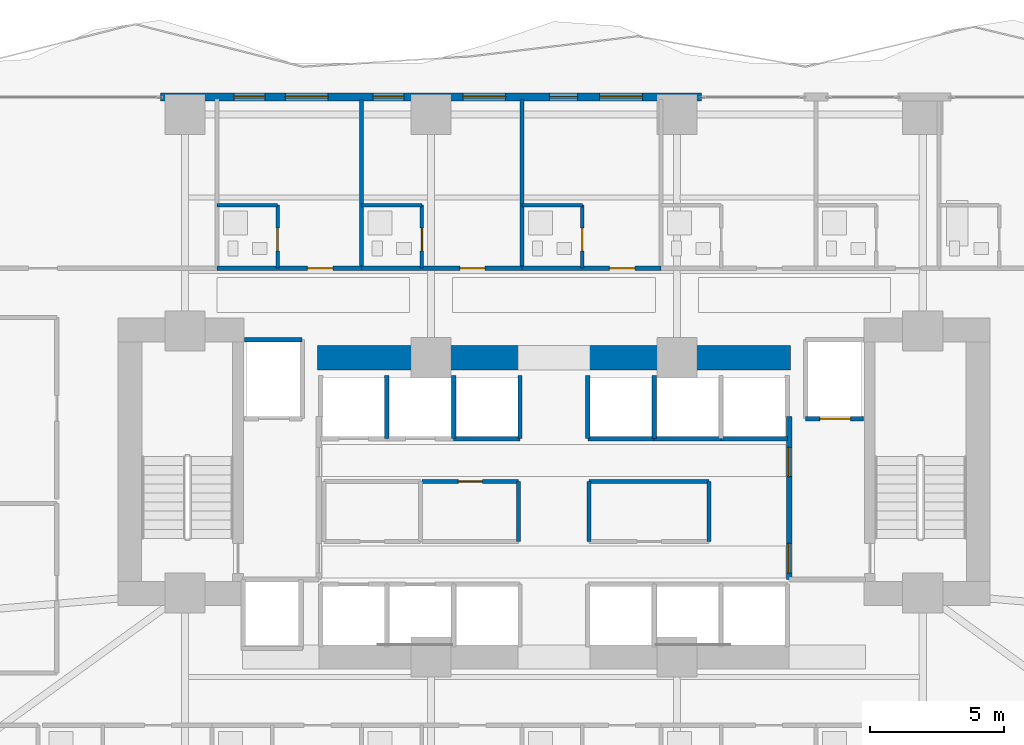
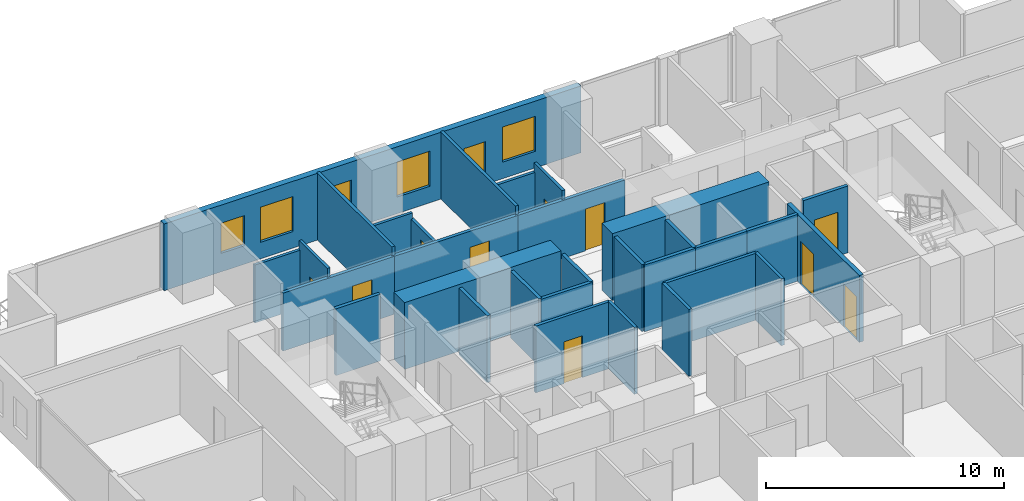
# One storey, part 21 of 28: 31 walls, 11 doors, 5 windows, 16 openings.
"""IFC4 building model written with IfcOpenShell, lengths in metres."""

from ifc_helpers import new_model, si_unit, direction, frame, frame_2d, origin, place, context, subcontext, project, spatial, rectangle, extrude, material, layer, layer_set, type_object, element, fill, save


model = new_model("IFC4")

# Units and contexts
model_context = context("Model", 3, precision=1e-05, world=origin(), true_north=direction((0.0, 1.0)))
body_context = subcontext(model_context, "Body", "Model", "MODEL_VIEW")
ifc_project = project(units=[si_unit("LENGTHUNIT", "METRE"), si_unit("AREAUNIT", "SQUARE_METRE"), si_unit("VOLUMEUNIT", "CUBIC_METRE"), si_unit("PLANEANGLEUNIT", "RADIAN"), si_unit("MASSUNIT", "GRAM", prefix="KILO")], contexts=[model_context])

# Site, building, storey
site_placement = place(None, origin())
site = spatial("IfcSite", under=ifc_project, at=site_placement, CompositionType="ELEMENT")
building_placement = place(site_placement, origin())
building = spatial("IfcBuilding", under=site, at=building_placement, Name="Zuhayl Quay Hotel", CompositionType="ELEMENT")
storey_placement = place(building_placement, frame((0.0, 0.0, 34.89990234375)))
storey = spatial("IfcBuildingStorey", under=building, at=storey_placement, Name="L07", CompositionType="ELEMENT", Elevation=34.89990234375)

# Walls
ifc_material_1 = material(Name="Concrete C70/85", Category="concrete")
ifc_layer_1 = layer(ifc_material_1, 0.89990234375, Name="Concrete C70/85", Category="concrete")
ifc_layer_set_1 = layer_set([ifc_layer_1], Name="Concrete C70/85")
wall_type_1 = type_object("IfcWallType", Name="WL_CORE_900", PredefinedType="SHEAR", material=ifc_layer_set_1)
for number, where, z_axis, x_axis, name in (
    (1, (-8.85009765625, 13.35009765625, 0.0), (0.0, 0.0, 1.0), (1.0, 0.0, 0.0), "L07 Core Shear Wall CW_NC_W"),
    (2, (1.25, 13.35009765625, 0.0), (0.0, 0.0, 1.0), (1.0, 0.0, 0.0), "L07 Core Shear Wall CW_NC_E"),
):
    element("IfcWall", number, at=place(storey_placement, frame(where, z_axis=z_axis, x_axis=x_axis)), inside=storey, type_object=wall_type_1, Name=name, PredefinedType="SHEAR", context=body_context, shape_type="SweptSolid", body=[
        extrude(rectangle(XDim=7.60009765625, YDim=0.89990234375, at=frame_2d((3.800048828125, 0.0))), origin(), (0.0, 0.0, 1.0), 3.43017578125),
    ])

# Wall, openings, door, windows
ifc_material_2 = material(Name="Precast concrete C45/55", Category="concrete")
ifc_layer_2 = layer(ifc_material_2, 0.300048828125, Name="Precast concrete C45/55", Category="concrete")
ifc_layer_set_2 = layer_set([ifc_layer_2], Name="Precast concrete C45/55")
wall_type_2 = type_object("IfcWallType", Name="WL_EXT_300", PredefinedType="STANDARD", material=ifc_layer_set_2)
wall_1_placement = place(storey_placement, frame((-14.719970703125, 23.10009765625, 0.0), z_axis=(0.0, 0.0, 1.0), x_axis=(1.0, 0.0, 0.0)))
wall_1 = element("IfcWall", 3, at=wall_1_placement, inside=storey, type_object=wall_type_2, Name="L07 Exterior Precast Wall ENV_L07_N_EW2", PredefinedType="STANDARD", context=body_context, shape_type="SweptSolid", body=[
    extrude(rectangle(XDim=20.239990234375, YDim=0.300048828125, at=frame_2d((10.1201171875, 0.0))), origin(), (0.0, 0.0, 1.0), 3.43017578125),
])
opening_1_placement = place(wall_1_placement, frame((14.554931640625, 0.0, 0.0)))
opening_1 = element("IfcOpeningElement", 4, at=opening_1_placement, cuts=wall_1, Name="Opening DG1", PredefinedType="OPENING", context=body_context, shape_type="SweptSolid", body=[
    extrude(rectangle(XDim=1.050048828125, YDim=2.199951171875, at=frame_2d((0.52490234375, 1.10009765625))), frame((0.0, 0.159912109375, 0.0), z_axis=(0.0, -1.0, 0.0), x_axis=(1.0, 0.0, 0.0)), (0.0, 0.0, 1.0), 0.320068359375),
])
opening_2_placement = place(wall_1_placement, frame((4.66796875, 0.0, 0.85009765625)))
opening_2 = element("IfcOpeningElement", 5, at=opening_2_placement, cuts=wall_1, Name="Opening W01", PredefinedType="OPENING", context=body_context, shape_type="SweptSolid", body=[
    extrude(rectangle(XDim=1.60009765625, YDim=1.800048828125, at=frame_2d((0.800048828125, 0.89990234375))), frame((0.0, 0.159912109375, 0.0), z_axis=(0.0, -1.0, 0.0), x_axis=(1.0, 0.0, 0.0)), (0.0, 0.0, 1.0), 0.320068359375),
])
opening_3_placement = place(wall_1_placement, frame((2.75390625, 0.0, 0.949951171875)))
opening_3 = element("IfcOpeningElement", 6, at=opening_3_placement, cuts=wall_1, Name="Opening W01N", PredefinedType="OPENING", context=body_context, shape_type="SweptSolid", body=[
    extrude(rectangle(XDim=1.14990234375, YDim=1.550048828125, at=frame_2d((0.574951171875, 0.77490234375))), frame((0.0, 0.159912109375, 0.0), z_axis=(0.0, -1.0, 0.0), x_axis=(1.0, 0.0, 0.0)), (0.0, 0.0, 1.0), 0.320068359375),
])
opening_4_placement = place(wall_1_placement, frame((7.955078125, 0.0, 0.949951171875)))
opening_4 = element("IfcOpeningElement", 7, at=opening_4_placement, cuts=wall_1, Name="Opening W01N", PredefinedType="OPENING", context=body_context, shape_type="SweptSolid", body=[
    extrude(rectangle(XDim=1.14990234375, YDim=1.550048828125, at=frame_2d((0.574951171875, 0.77490234375))), frame((0.0, 0.159912109375, 0.0), z_axis=(0.0, -1.0, 0.0), x_axis=(1.0, 0.0, 0.0)), (0.0, 0.0, 1.0), 0.320068359375),
])
opening_5_placement = place(wall_1_placement, frame((11.31005859375, 0.0, 0.85009765625)))
opening_5 = element("IfcOpeningElement", 8, at=opening_5_placement, cuts=wall_1, Name="Opening W01", PredefinedType="OPENING", context=body_context, shape_type="SweptSolid", body=[
    extrude(rectangle(XDim=1.60009765625, YDim=1.800048828125, at=frame_2d((0.800048828125, 0.89990234375))), frame((0.0, 0.159912109375, 0.0), z_axis=(0.0, -1.0, 0.0), x_axis=(1.0, 0.0, 0.0)), (0.0, 0.0, 1.0), 0.320068359375),
])
opening_6_placement = place(wall_1_placement, frame((16.427490234375, 0.0, 0.85009765625)))
opening_6 = element("IfcOpeningElement", 9, at=opening_6_placement, cuts=wall_1, Name="Opening W01", PredefinedType="OPENING", context=body_context, shape_type="SweptSolid", body=[
    extrude(rectangle(XDim=1.60009765625, YDim=1.800048828125, at=frame_2d((0.800048828125, 0.89990234375))), frame((0.0, 0.159912109375, 0.0), z_axis=(0.0, -1.0, 0.0), x_axis=(1.0, 0.0, 0.0)), (0.0, 0.0, 1.0), 0.320068359375),
])
ifc_material_3 = material(Name="Anodised Aluminium and Dark Solar Glass", Category="aluminium")
door_type_1 = type_object("IfcDoorType", Name="DR_EXT_TERR_1050", OperationType="NOTDEFINED", PredefinedType="DOOR", material=ifc_material_3)
door_1_placement = place(opening_1_placement, origin())
door_1 = element("IfcDoor", 10, at=door_1_placement, inside=storey, type_object=door_type_1, Name="L07 North Rippling Balcony Door", OperationType="SINGLE_SWING_LEFT", OverallHeight=2.199951171875, OverallWidth=1.050048828125, PredefinedType="DOOR", context=body_context, shape_type="SweptSolid", body=[
    extrude(rectangle(XDim=1.050048828125, YDim=2.199951171875, at=frame_2d((0.52490234375, 1.10009765625))), frame((0.0, 0.02490234375, 0.0), z_axis=(0.0, -1.0, 0.0), x_axis=(1.0, 0.0, 0.0)), (0.0, 0.0, 1.0), 0.050048828125),
])
fill(opening_1, door_1)
ifc_material_4 = material(Name="Dark Ceramic-Fritted Solar Glass", Category="glass")
window_type_1 = type_object("IfcWindowType", Name="WN_NOTCH_1350", PartitioningType="SINGLE_PANEL", PredefinedType="WINDOW", material=ifc_material_4)
window_1_placement = place(opening_3_placement, origin())
window_1 = element("IfcWindow", 11, at=window_1_placement, inside=storey, type_object=window_type_1, Name="L07 Operable Facade Window 2-1", OverallHeight=1.550048828125, OverallWidth=1.14990234375, PartitioningType="SINGLE_PANEL", PredefinedType="WINDOW", context=body_context, shape_type="SweptSolid", body=[
    extrude(rectangle(XDim=1.14990234375, YDim=1.550048828125, at=frame_2d((0.574951171875, 0.77490234375))), frame((0.0, 0.030029296875, 0.0), z_axis=(0.0, -1.0, 0.0), x_axis=(1.0, 0.0, 0.0)), (0.0, 0.0, 1.0), 0.06005859375),
])
fill(opening_3, window_1)
window_2_placement = place(opening_4_placement, origin())
window_2 = element("IfcWindow", 12, at=window_2_placement, inside=storey, type_object=window_type_1, Name="L07 Operable Facade Window 2-2", OverallHeight=1.550048828125, OverallWidth=1.14990234375, PartitioningType="SINGLE_PANEL", PredefinedType="WINDOW", context=body_context, shape_type="SweptSolid", body=[
    extrude(rectangle(XDim=1.14990234375, YDim=1.550048828125, at=frame_2d((0.574951171875, 0.77490234375))), frame((0.0, 0.030029296875, 0.0), z_axis=(0.0, -1.0, 0.0), x_axis=(1.0, 0.0, 0.0)), (0.0, 0.0, 1.0), 0.06005859375),
])
fill(opening_4, window_2)
window_type_2 = type_object("IfcWindowType", Name="WN_OPERABLE_1600", PartitioningType="DOUBLE_PANEL_VERTICAL", PredefinedType="WINDOW", material=ifc_material_4)
window_3_placement = place(opening_2_placement, origin())
window_3 = element("IfcWindow", 13, at=window_3_placement, inside=storey, type_object=window_type_2, Name="L07 North Operable Casement Window", OverallHeight=1.800048828125, OverallWidth=1.60009765625, PartitioningType="SINGLE_PANEL", PredefinedType="WINDOW", context=body_context, shape_type="SweptSolid", body=[
    extrude(rectangle(XDim=1.60009765625, YDim=1.800048828125, at=frame_2d((0.800048828125, 0.89990234375))), frame((0.0, 0.030029296875, 0.0), z_axis=(0.0, -1.0, 0.0), x_axis=(1.0, 0.0, 0.0)), (0.0, 0.0, 1.0), 0.06005859375),
])
fill(opening_2, window_3)
window_4_placement = place(opening_5_placement, origin())
window_4 = element("IfcWindow", 14, at=window_4_placement, inside=storey, type_object=window_type_2, Name="L07 Operable Facade Window 2-3", OverallHeight=1.800048828125, OverallWidth=1.60009765625, PartitioningType="SINGLE_PANEL", PredefinedType="WINDOW", context=body_context, shape_type="SweptSolid", body=[
    extrude(rectangle(XDim=1.60009765625, YDim=1.800048828125, at=frame_2d((0.800048828125, 0.89990234375))), frame((0.0, 0.030029296875, 0.0), z_axis=(0.0, -1.0, 0.0), x_axis=(1.0, 0.0, 0.0)), (0.0, 0.0, 1.0), 0.06005859375),
])
fill(opening_5, window_4)
window_5_placement = place(opening_6_placement, origin())
window_5 = element("IfcWindow", 15, at=window_5_placement, inside=storey, type_object=window_type_2, Name="L07 Operable Facade Window 2-4", OverallHeight=1.800048828125, OverallWidth=1.60009765625, PartitioningType="SINGLE_PANEL", PredefinedType="WINDOW", context=body_context, shape_type="SweptSolid", body=[
    extrude(rectangle(XDim=1.60009765625, YDim=1.800048828125, at=frame_2d((0.800048828125, 0.89990234375))), frame((0.0, 0.030029296875, 0.0), z_axis=(0.0, -1.0, 0.0), x_axis=(1.0, 0.0, 0.0)), (0.0, 0.0, 1.0), 0.06005859375),
])
fill(opening_6, window_5)

# Wall, opening, door
ifc_material_5 = material(Name="Acoustic Gypsum Partition STC-58")
ifc_layer_3 = layer(ifc_material_5, 0.14990234375, Name="Acoustic Gypsum Partition STC-58")
ifc_layer_set_3 = layer_set([ifc_layer_3], Name="Acoustic Gypsum Partition STC-58")
wall_type_3 = type_object("IfcWallType", Name="WL_PART_150", PredefinedType="PARTITIONING", material=ifc_layer_set_3)
wall_2_placement = place(storey_placement, frame((-4.929931640625, 8.719970703125, 0.0), z_axis=(0.0, 0.0, 1.0), x_axis=(1.0, 0.0, 0.0)))
wall_2 = element("IfcWall", 16, at=wall_2_placement, inside=storey, type_object=wall_type_3, Name="L07 Partition IW_L07_CORE_BM_N", PredefinedType="PARTITIONING", context=body_context, shape_type="SweptSolid", body=[
    extrude(rectangle(XDim=3.60986328125, YDim=0.14990234375, at=frame_2d((1.804931640625, 0.0))), origin(), (0.0, 0.0, 1.0), 3.43017578125),
])
opening_7_placement = place(wall_2_placement, frame((1.35498046875, 0.0, 0.0)))
opening_7 = element("IfcOpeningElement", 17, at=opening_7_placement, cuts=wall_2, Name="Opening D06", PredefinedType="OPENING", context=body_context, shape_type="SweptSolid", body=[
    extrude(rectangle(XDim=0.89990234375, YDim=2.14990234375, at=frame_2d((0.449951171875, 1.074951171875))), frame((0.0, 0.0849609375, 0.0), z_axis=(0.0, -1.0, 0.0), x_axis=(1.0, 0.0, 0.0)), (0.0, 0.0, 1.0), 0.169921875),
])
ifc_material_6 = material(Name="Steel ASTM A992 Grade 50", Category="steel")
door_type_2 = type_object("IfcDoorType", Name="DR_INT_900", OperationType="NOTDEFINED", PredefinedType="DOOR", material=ifc_material_6)
door_2_placement = place(opening_7_placement, origin())
door_2 = element("IfcDoor", 18, at=door_2_placement, inside=storey, type_object=door_type_2, Name="L07 Telecom and BMS Closet Door", OperationType="SINGLE_SWING_RIGHT", OverallHeight=2.14990234375, OverallWidth=0.89990234375, PredefinedType="DOOR", context=body_context, shape_type="SweptSolid", body=[
    extrude(rectangle(XDim=0.89990234375, YDim=2.14990234375, at=frame_2d((0.449951171875, 1.074951171875))), frame((0.0, 0.02490234375, 0.0), z_axis=(0.0, -1.0, 0.0), x_axis=(1.0, 0.0, 0.0)), (0.0, 0.0, 1.0), 0.050048828125),
])
fill(opening_7, door_2)

# Walls
wall_3_placement = place(storey_placement, frame((-1.320068359375, 6.47998046875, 0.0), z_axis=(0.0, 0.0, 1.0), x_axis=(0.0, 1.0, 0.0)))
element("IfcWall", 19, at=wall_3_placement, inside=storey, type_object=wall_type_3, Name="L07 Partition IW_L07_CORE_BM_E", PredefinedType="PARTITIONING", context=body_context, shape_type="SweptSolid", body=[
    extrude(rectangle(XDim=2.239990234375, YDim=0.14990234375, at=frame_2d((1.1201171875, 0.0))), origin(), (0.0, 0.0, 1.0), 3.43017578125),
])
wall_4_placement = place(storey_placement, frame((1.320068359375, 8.719970703125, 0.0), z_axis=(0.0, 0.0, 1.0), x_axis=(1.0, 0.0, 0.0)))
element("IfcWall", 20, at=wall_4_placement, inside=storey, type_object=wall_type_3, Name="L07 Partition IW_L07_CORE_PN_N", PredefinedType="PARTITIONING", context=body_context, shape_type="SweptSolid", body=[
    extrude(rectangle(XDim=4.489990234375, YDim=0.14990234375, at=frame_2d((2.2451171875, 0.0))), origin(), (0.0, 0.0, 1.0), 3.43017578125),
])
for number, where, z_axis, x_axis, name in (
    (21, (1.320068359375, 6.47998046875, 0.0), (0.0, 0.0, 1.0), (0.0, 1.0, 0.0), "L07 Partition IW_L07_CORE_PN_W"),
    (22, (5.81005859375, 6.47998046875, 0.0), (0.0, 0.0, 1.0), (0.0, 1.0, 0.0), "L07 Partition IW_L07_CORE_PN_E"),
):
    element("IfcWall", number, at=place(storey_placement, frame(where, z_axis=z_axis, x_axis=x_axis)), inside=storey, type_object=wall_type_3, Name=name, PredefinedType="PARTITIONING", context=body_context, shape_type="SweptSolid", body=[
        extrude(rectangle(XDim=2.239990234375, YDim=0.14990234375, at=frame_2d((1.1201171875, 0.0))), origin(), (0.0, 0.0, 1.0), 3.43017578125),
    ])
for number, where, z_axis, x_axis, name in (
    (23, (-7.199951171875, 16.699951171875, 0.0), (0.0, 0.0, 1.0), (0.0, 1.0, 0.0), "L07 Partition IW_L07_NU02_E"),
    (24, (-1.199951171875, 16.699951171875, 0.0), (0.0, 0.0, 1.0), (0.0, 1.0, 0.0), "L07 Partition IW_L07_NU03_E"),
):
    element("IfcWall", number, at=place(storey_placement, frame(where, z_axis=z_axis, x_axis=x_axis)), inside=storey, type_object=wall_type_3, Name=name, PredefinedType="PARTITIONING", context=body_context, shape_type="SweptSolid", body=[
        extrude(rectangle(XDim=6.320068359375, YDim=0.14990234375, at=frame_2d((3.16015625, 0.0))), origin(), (0.0, 0.0, 1.0), 3.43017578125),
    ])

# Wall, opening, door
ifc_layer_4 = layer(ifc_material_5, 0.159912109375, Name="Acoustic Gypsum Partition STC-58")
ifc_layer_set_4 = layer_set([ifc_layer_4], Name="Acoustic Gypsum Partition STC-58")
wall_type_4 = type_object("IfcWallType", Name="WL_PART_CORR_160", PredefinedType="PARTITIONING", material=ifc_layer_set_4)
wall_5_placement = place(storey_placement, frame((-12.60009765625, 16.699951171875, 0.0), z_axis=(0.0, 0.0, 1.0), x_axis=(1.0, 0.0, 0.0)))
wall_5 = element("IfcWall", 25, at=wall_5_placement, inside=storey, type_object=wall_type_4, Name="L07 Partition IW_L07_NU02_COR", PredefinedType="PARTITIONING", context=body_context, shape_type="SweptSolid", body=[
    extrude(rectangle(XDim=5.400146484375, YDim=0.159912109375, at=frame_2d((2.7001953125, 0.0))), origin(), (0.0, 0.0, 1.0), 2.97314453125),
])
opening_8_placement = place(wall_5_placement, frame((3.375, 0.0, 0.0)))
opening_8 = element("IfcOpeningElement", 26, at=opening_8_placement, cuts=wall_5, Name="Opening D03", PredefinedType="OPENING", context=body_context, shape_type="SweptSolid", body=[
    extrude(rectangle(XDim=0.949951171875, YDim=2.14990234375, at=frame_2d((0.47509765625, 1.074951171875))), frame((0.0, 0.08984375, 0.0), z_axis=(0.0, -1.0, 0.0), x_axis=(1.0, 0.0, 0.0)), (0.0, 0.0, 1.0), 0.179931640625),
])
ifc_material_7 = material(Name="Solid Walnut Acoustic Fire Door")
door_type_3 = type_object("IfcDoorType", Name="DR_SUITE_950", OperationType="NOTDEFINED", PredefinedType="DOOR", material=ifc_material_7)
door_3_placement = place(opening_8_placement, origin())
door_3 = element("IfcDoor", 27, at=door_3_placement, inside=storey, type_object=door_type_3, Name="L07 Deluxe Gulf Guest Room L07-02 Entrance Door", OperationType="SINGLE_SWING_RIGHT", OverallHeight=2.14990234375, OverallWidth=0.949951171875, PredefinedType="DOOR", context=body_context, shape_type="SweptSolid", body=[
    extrude(rectangle(XDim=0.949951171875, YDim=2.14990234375, at=frame_2d((0.47509765625, 1.074951171875))), frame((0.0, 0.02490234375, 0.0), z_axis=(0.0, -1.0, 0.0), x_axis=(1.0, 0.0, 0.0)), (0.0, 0.0, 1.0), 0.050048828125),
])
fill(opening_8, door_3)

wall_6_placement = place(storey_placement, frame((-7.199951171875, 16.699951171875, 0.0), z_axis=(0.0, 0.0, 1.0), x_axis=(1.0, 0.0, 0.0)))
wall_6 = element("IfcWall", 28, at=wall_6_placement, inside=storey, type_object=wall_type_4, Name="L07 Partition IW_L07_NU03_COR", PredefinedType="PARTITIONING", context=body_context, shape_type="SweptSolid", body=[
    extrude(rectangle(XDim=6.0, YDim=0.159912109375, at=frame_2d((3.0, 0.0))), origin(), (0.0, 0.0, 1.0), 2.97314453125),
])
opening_9_placement = place(wall_6_placement, frame((3.675048828125, 0.0, 0.0)))
opening_9 = element("IfcOpeningElement", 29, at=opening_9_placement, cuts=wall_6, Name="Opening D03", PredefinedType="OPENING", context=body_context, shape_type="SweptSolid", body=[
    extrude(rectangle(XDim=0.949951171875, YDim=2.14990234375, at=frame_2d((0.47509765625, 1.074951171875))), frame((0.0, 0.08984375, 0.0), z_axis=(0.0, -1.0, 0.0), x_axis=(1.0, 0.0, 0.0)), (0.0, 0.0, 1.0), 0.179931640625),
])
door_4_placement = place(opening_9_placement, origin())
door_4 = element("IfcDoor", 30, at=door_4_placement, inside=storey, type_object=door_type_3, Name="L07 Deluxe Gulf Guest Room L07-03 Entrance Door", OperationType="SINGLE_SWING_RIGHT", OverallHeight=2.14990234375, OverallWidth=0.949951171875, PredefinedType="DOOR", context=body_context, shape_type="SweptSolid", body=[
    extrude(rectangle(XDim=0.949951171875, YDim=2.14990234375, at=frame_2d((0.47509765625, 1.074951171875))), frame((0.0, 0.02490234375, 0.0), z_axis=(0.0, -1.0, 0.0), x_axis=(1.0, 0.0, 0.0)), (0.0, 0.0, 1.0), 0.050048828125),
])
fill(opening_9, door_4)

wall_7_placement = place(storey_placement, frame((-1.199951171875, 16.699951171875, 0.0), z_axis=(0.0, 0.0, 1.0), x_axis=(1.0, 0.0, 0.0)))
wall_7 = element("IfcWall", 31, at=wall_7_placement, inside=storey, type_object=wall_type_4, Name="L07 Partition IW_L07_NU04_COR", PredefinedType="PARTITIONING", context=body_context, shape_type="SweptSolid", body=[
    extrude(rectangle(XDim=5.199951171875, YDim=0.159912109375, at=frame_2d((2.60009765625, 0.0))), origin(), (0.0, 0.0, 1.0), 2.97314453125),
])
opening_10_placement = place(wall_7_placement, frame((3.27490234375, 0.0, 0.0)))
opening_10 = element("IfcOpeningElement", 32, at=opening_10_placement, cuts=wall_7, Name="Opening D03", PredefinedType="OPENING", context=body_context, shape_type="SweptSolid", body=[
    extrude(rectangle(XDim=0.949951171875, YDim=2.14990234375, at=frame_2d((0.47509765625, 1.074951171875))), frame((0.0, 0.08984375, 0.0), z_axis=(0.0, -1.0, 0.0), x_axis=(1.0, 0.0, 0.0)), (0.0, 0.0, 1.0), 0.179931640625),
])
door_5_placement = place(opening_10_placement, origin())
door_5 = element("IfcDoor", 33, at=door_5_placement, inside=storey, type_object=door_type_3, Name="L07 Deluxe Gulf Guest Room L07-04 Entrance Door", OperationType="SINGLE_SWING_RIGHT", OverallHeight=2.14990234375, OverallWidth=0.949951171875, PredefinedType="DOOR", context=body_context, shape_type="SweptSolid", body=[
    extrude(rectangle(XDim=0.949951171875, YDim=2.14990234375, at=frame_2d((0.47509765625, 1.074951171875))), frame((0.0, 0.02490234375, 0.0), z_axis=(0.0, -1.0, 0.0), x_axis=(1.0, 0.0, 0.0)), (0.0, 0.0, 1.0), 0.050048828125),
])
fill(opening_10, door_5)

ifc_material_8 = material(Name="Moisture-Resistant Sanitarychase Gypsum")
ifc_layer_5 = layer(ifc_material_8, 0.135009765625, Name="Moisture-Resistant Sanitarychase Gypsum")
ifc_layer_set_5 = layer_set([ifc_layer_5], Name="Moisture-Resistant Sanitarychase Gypsum")
wall_type_5 = type_object("IfcWallType", Name="WL_PART_PLUMB_150", PredefinedType="PLUMBINGWALL", material=ifc_layer_set_5)
wall_8_placement = place(storey_placement, frame((-10.340087890625, 16.699951171875, 0.0), z_axis=(0.0, 0.0, 1.0), x_axis=(0.0, 1.0, 0.0)))
wall_8 = element("IfcWall", 34, at=wall_8_placement, inside=storey, type_object=wall_type_5, Name="L07 Partition IW_L07_NU02_BE", PredefinedType="PLUMBINGWALL", context=body_context, shape_type="SweptSolid", body=[
    extrude(rectangle(XDim=2.360107421875, YDim=0.135009765625, at=frame_2d((1.18017578125, 0.0))), origin(), (0.0, 0.0, 1.0), 3.43017578125),
])
opening_11_placement = place(wall_8_placement, frame((0.64990234375, 0.0, 0.0)))
opening_11 = element("IfcOpeningElement", 35, at=opening_11_placement, cuts=wall_8, Name="Opening D04", PredefinedType="OPENING", context=body_context, shape_type="SweptSolid", body=[
    extrude(rectangle(XDim=0.85009765625, YDim=2.10009765625, at=frame_2d((0.425048828125, 1.050048828125))), frame((0.0, 0.077392578125, 0.0), z_axis=(0.0, -1.0, 0.0), x_axis=(1.0, 0.0, 0.0)), (0.0, 0.0, 1.0), 0.155029296875),
])
ifc_material_9 = material(Name="Moisture-Resistant Walnut Veneer")
door_type_4 = type_object("IfcDoorType", Name="DR_BATH_850", OperationType="NOTDEFINED", PredefinedType="DOOR", material=ifc_material_9)
door_6_placement = place(opening_11_placement, origin())
door_6 = element("IfcDoor", 36, at=door_6_placement, inside=storey, type_object=door_type_4, Name="L07 Deluxe Gulf Guest Room L07-02 En-Suite Door", OperationType="SINGLE_SWING_LEFT", OverallHeight=2.10009765625, OverallWidth=0.85009765625, PredefinedType="DOOR", context=body_context, shape_type="SweptSolid", body=[
    extrude(rectangle(XDim=0.85009765625, YDim=2.10009765625, at=frame_2d((0.425048828125, 1.050048828125))), frame((0.0, 0.02490234375, 0.0), z_axis=(0.0, -1.0, 0.0), x_axis=(1.0, 0.0, 0.0)), (0.0, 0.0, 1.0), 0.050048828125),
])
fill(opening_11, door_6)

wall_9_placement = place(storey_placement, frame((-4.93994140625, 16.699951171875, 0.0), z_axis=(0.0, 0.0, 1.0), x_axis=(0.0, 1.0, 0.0)))
wall_9 = element("IfcWall", 37, at=wall_9_placement, inside=storey, type_object=wall_type_5, Name="L07 Partition IW_L07_NU03_BE", PredefinedType="PLUMBINGWALL", context=body_context, shape_type="SweptSolid", body=[
    extrude(rectangle(XDim=2.360107421875, YDim=0.135009765625, at=frame_2d((1.18017578125, 0.0))), origin(), (0.0, 0.0, 1.0), 2.668212890625),
])
opening_12_placement = place(wall_9_placement, frame((0.64990234375, 0.0, 0.0)))
opening_12 = element("IfcOpeningElement", 38, at=opening_12_placement, cuts=wall_9, Name="Opening D04", PredefinedType="OPENING", context=body_context, shape_type="SweptSolid", body=[
    extrude(rectangle(XDim=0.85009765625, YDim=2.10009765625, at=frame_2d((0.425048828125, 1.050048828125))), frame((0.0, 0.077392578125, 0.0), z_axis=(0.0, -1.0, 0.0), x_axis=(1.0, 0.0, 0.0)), (0.0, 0.0, 1.0), 0.155029296875),
])
door_7_placement = place(opening_12_placement, origin())
door_7 = element("IfcDoor", 39, at=door_7_placement, inside=storey, type_object=door_type_4, Name="L07 Deluxe Gulf Guest Room L07-03 En-Suite Door", OperationType="SINGLE_SWING_LEFT", OverallHeight=2.10009765625, OverallWidth=0.85009765625, PredefinedType="DOOR", context=body_context, shape_type="SweptSolid", body=[
    extrude(rectangle(XDim=0.85009765625, YDim=2.10009765625, at=frame_2d((0.425048828125, 1.050048828125))), frame((0.0, 0.02490234375, 0.0), z_axis=(0.0, -1.0, 0.0), x_axis=(1.0, 0.0, 0.0)), (0.0, 0.0, 1.0), 0.050048828125),
])
fill(opening_12, door_7)

wall_10_placement = place(storey_placement, frame((1.06005859375, 16.699951171875, 0.0), z_axis=(0.0, 0.0, 1.0), x_axis=(0.0, 1.0, 0.0)))
wall_10 = element("IfcWall", 40, at=wall_10_placement, inside=storey, type_object=wall_type_5, Name="L07 Partition IW_L07_NU04_BE", PredefinedType="PLUMBINGWALL", context=body_context, shape_type="SweptSolid", body=[
    extrude(rectangle(XDim=2.360107421875, YDim=0.135009765625, at=frame_2d((1.18017578125, 0.0))), origin(), (0.0, 0.0, 1.0), 3.43017578125),
])
opening_13_placement = place(wall_10_placement, frame((0.64990234375, 0.0, 0.0)))
opening_13 = element("IfcOpeningElement", 41, at=opening_13_placement, cuts=wall_10, Name="Opening D04", PredefinedType="OPENING", context=body_context, shape_type="SweptSolid", body=[
    extrude(rectangle(XDim=0.85009765625, YDim=2.10009765625, at=frame_2d((0.425048828125, 1.050048828125))), frame((0.0, 0.077392578125, 0.0), z_axis=(0.0, -1.0, 0.0), x_axis=(1.0, 0.0, 0.0)), (0.0, 0.0, 1.0), 0.155029296875),
])
door_8_placement = place(opening_13_placement, origin())
door_8 = element("IfcDoor", 42, at=door_8_placement, inside=storey, type_object=door_type_4, Name="L07 Deluxe Gulf Guest Room L07-04 En-Suite Door", OperationType="SINGLE_SWING_LEFT", OverallHeight=2.10009765625, OverallWidth=0.85009765625, PredefinedType="DOOR", context=body_context, shape_type="SweptSolid", body=[
    extrude(rectangle(XDim=0.85009765625, YDim=2.10009765625, at=frame_2d((0.425048828125, 1.050048828125))), frame((0.0, 0.02490234375, 0.0), z_axis=(0.0, -1.0, 0.0), x_axis=(1.0, 0.0, 0.0)), (0.0, 0.0, 1.0), 0.050048828125),
])
fill(opening_13, door_8)

# Walls
for number, where, z_axis, x_axis, name in (
    (43, (-12.60009765625, 19.06005859375, 0.0), (0.0, 0.0, 1.0), (1.0, 0.0, 0.0), "L07 Partition IW_L07_NU02_BN"),
    (44, (-7.199951171875, 19.06005859375, 0.0), (0.0, 0.0, 1.0), (1.0, 0.0, 0.0), "L07 Partition IW_L07_NU03_BN"),
    (45, (-1.199951171875, 19.06005859375, 0.0), (0.0, 0.0, 1.0), (1.0, 0.0, 0.0), "L07 Partition IW_L07_NU04_BN"),
):
    element("IfcWall", number, at=place(storey_placement, frame(where, z_axis=z_axis, x_axis=x_axis)), inside=storey, type_object=wall_type_5, Name=name, PredefinedType="PLUMBINGWALL", context=body_context, shape_type="SweptSolid", body=[
        extrude(rectangle(XDim=2.260009765625, YDim=0.135009765625, at=frame_2d((1.1298828125, 0.0))), origin(), (0.0, 0.0, 1.0), 2.97314453125),
    ])

# Wall, opening, door
ifc_material_10 = material(Name="Gypsum Fireboard Assembly EI-90")
ifc_layer_6 = layer(ifc_material_10, 0.1650390625, Name="Gypsum Fireboard Assembly EI-90")
ifc_layer_set_6 = layer_set([ifc_layer_6], Name="Gypsum Fireboard Assembly EI-90")
wall_type_6 = type_object("IfcWallType", Name="WL_PART_SHAFT_160", PredefinedType="PARTITIONING", material=ifc_layer_set_6)
wall_11_placement = place(storey_placement, frame((9.419921875, 11.070068359375, 0.0), z_axis=(0.0, 0.0, 1.0), x_axis=(1.0, 0.0, 0.0)))
wall_11 = element("IfcWall", 46, at=wall_11_placement, inside=storey, type_object=wall_type_6, Name="L07 Partition IW_L07_SH_FL2_F", PredefinedType="PARTITIONING", context=body_context, shape_type="SweptSolid", body=[
    extrude(rectangle(XDim=2.16015625, YDim=0.1650390625, at=frame_2d((1.080078125, 0.0))), origin(), (0.0, 0.0, 1.0), 3.43017578125),
])
opening_14_placement = place(wall_11_placement, frame((0.530029296875, 0.0, 0.0)))
opening_14 = element("IfcOpeningElement", 47, at=opening_14_placement, cuts=wall_11, Name="Opening LD2", PredefinedType="OPENING", context=body_context, shape_type="SweptSolid", body=[
    extrude(rectangle(XDim=1.14990234375, YDim=2.25, at=frame_2d((0.574951171875, 1.125))), frame((0.0, 0.092529296875, 0.0), z_axis=(0.0, -1.0, 0.0), x_axis=(1.0, 0.0, 0.0)), (0.0, 0.0, 1.0), 0.18505859375),
])
ifc_material_11 = material(Name="Brushed Stainless Steel", Category="steel")
door_type_5 = type_object("IfcDoorType", Name="DR_LIFT_FF_1100", OperationType="SLIDING_TO_LEFT", PredefinedType="DOOR", material=ifc_material_11)
door_9_placement = place(opening_14_placement, origin())
door_9 = element("IfcDoor", 48, at=door_9_placement, inside=storey, type_object=door_type_5, Name="L07 Lift FL2 Sliding Landing Door", OperationType="SLIDING_TO_LEFT", OverallHeight=2.25, OverallWidth=1.14990234375, PredefinedType="DOOR", context=body_context, shape_type="SweptSolid", body=[
    extrude(rectangle(XDim=1.14990234375, YDim=2.25, at=frame_2d((0.574951171875, 1.125))), frame((0.0, 0.02490234375, 0.0), z_axis=(0.0, -1.0, 0.0), x_axis=(1.0, 0.0, 0.0)), (0.0, 0.0, 1.0), 0.050048828125),
])
fill(opening_14, door_9)

# Walls
wall_12_placement = place(storey_placement, frame((-11.580078125, 14.030029296875, 0.0), z_axis=(0.0, 0.0, 1.0), x_axis=(1.0, 0.0, 0.0)))
element("IfcWall", 49, at=wall_12_placement, inside=storey, type_object=wall_type_6, Name="L07 Partition IW_L07_SH_FL1_B", PredefinedType="PARTITIONING", context=body_context, shape_type="SweptSolid", body=[
    extrude(rectangle(XDim=2.16015625, YDim=0.1650390625, at=frame_2d((1.080078125, 0.0))), origin(), (0.0, 0.0, 1.0), 3.43017578125),
])
for number, where, z_axis, x_axis, name in (
    (50, (-6.25, 10.320068359375, 0.0), (0.0, 0.0, 1.0), (0.0, 1.0, 0.0), "L07 Partition IW_L07_SH_LP3_E"),
    (51, (-3.75, 10.320068359375, 0.0), (0.0, 0.0, 1.0), (0.0, 1.0, 0.0), "L07 Partition IW_L07_SH_LP4_E"),
):
    element("IfcWall", number, at=place(storey_placement, frame(where, z_axis=z_axis, x_axis=x_axis)), inside=storey, type_object=wall_type_6, Name=name, PredefinedType="PARTITIONING", context=body_context, shape_type="SweptSolid", body=[
        extrude(rectangle(XDim=2.35986328125, YDim=0.1650390625, at=frame_2d((1.179931640625, 0.0))), origin(), (0.0, 0.0, 1.0), 3.43017578125),
    ])
wall_13_placement = place(storey_placement, frame((-3.75, 10.320068359375, 0.0), z_axis=(0.0, 0.0, 1.0), x_axis=(1.0, 0.0, 0.0)))
element("IfcWall", 52, at=wall_13_placement, inside=storey, type_object=wall_type_6, Name="L07 Partition IW_L07_SH_MP3_F", PredefinedType="PARTITIONING", context=body_context, shape_type="SweptSolid", body=[
    extrude(rectangle(XDim=2.47998046875, YDim=0.1650390625, at=frame_2d((1.239990234375, 0.0))), origin(), (0.0, 0.0, 1.0), 3.43017578125),
])
wall_14_placement = place(storey_placement, frame((-1.27001953125, 10.320068359375, 0.0), z_axis=(0.0, 0.0, 1.0), x_axis=(0.0, 1.0, 0.0)))
element("IfcWall", 53, at=wall_14_placement, inside=storey, type_object=wall_type_6, Name="L07 Partition IW_L07_SH_MP3_E", PredefinedType="PARTITIONING", context=body_context, shape_type="SweptSolid", body=[
    extrude(rectangle(XDim=2.35986328125, YDim=0.1650390625, at=frame_2d((1.179931640625, 0.0))), origin(), (0.0, 0.0, 1.0), 3.43017578125),
])
wall_15_placement = place(storey_placement, frame((1.27001953125, 10.320068359375, 0.0), z_axis=(0.0, 0.0, 1.0), x_axis=(1.0, 0.0, 0.0)))
element("IfcWall", 54, at=wall_15_placement, inside=storey, type_object=wall_type_6, Name="L07 Partition IW_L07_SH_MP4_F", PredefinedType="PARTITIONING", context=body_context, shape_type="SweptSolid", body=[
    extrude(rectangle(XDim=2.47998046875, YDim=0.1650390625, at=frame_2d((1.239990234375, 0.0))), origin(), (0.0, 0.0, 1.0), 3.43017578125),
])
for number, where, z_axis, x_axis, name in (
    (55, (1.27001953125, 10.320068359375, 0.0), (0.0, 0.0, 1.0), (0.0, 1.0, 0.0), "L07 Partition IW_L07_SH_MP4_W"),
    (56, (3.75, 10.320068359375, 0.0), (0.0, 0.0, 1.0), (0.0, 1.0, 0.0), "L07 Partition IW_L07_SH_MP4_E"),
):
    element("IfcWall", number, at=place(storey_placement, frame(where, z_axis=z_axis, x_axis=x_axis)), inside=storey, type_object=wall_type_6, Name=name, PredefinedType="PARTITIONING", context=body_context, shape_type="SweptSolid", body=[
        extrude(rectangle(XDim=2.35986328125, YDim=0.1650390625, at=frame_2d((1.179931640625, 0.0))), origin(), (0.0, 0.0, 1.0), 3.43017578125),
    ])
wall_16_placement = place(storey_placement, frame((3.75, 10.320068359375, 0.0), z_axis=(0.0, 0.0, 1.0), x_axis=(1.0, 0.0, 0.0)))
element("IfcWall", 57, at=wall_16_placement, inside=storey, type_object=wall_type_6, Name="L07 Partition IW_L07_SH_HP3_F", PredefinedType="PARTITIONING", context=body_context, shape_type="SweptSolid", body=[
    extrude(rectangle(XDim=2.5, YDim=0.1650390625, at=frame_2d((1.25, 0.0))), origin(), (0.0, 0.0, 1.0), 3.43017578125),
])
wall_17_placement = place(storey_placement, frame((6.25, 10.320068359375, 0.0), z_axis=(0.0, 0.0, 1.0), x_axis=(1.0, 0.0, 0.0)))
element("IfcWall", 58, at=wall_17_placement, inside=storey, type_object=wall_type_6, Name="L07 Partition IW_L07_SH_HP4_F", PredefinedType="PARTITIONING", context=body_context, shape_type="SweptSolid", body=[
    extrude(rectangle(XDim=2.47998046875, YDim=0.1650390625, at=frame_2d((1.239990234375, 0.0))), origin(), (0.0, 0.0, 1.0), 3.43017578125),
])

# Wall, openings, doors
ifc_material_12 = material(Name="Gypsum Fireboard Assembly EI-120")
ifc_layer_7 = layer(ifc_material_12, 0.199951171875, Name="Gypsum Fireboard Assembly EI-120")
ifc_layer_set_7 = layer_set([ifc_layer_7], Name="Gypsum Fireboard Assembly EI-120")
wall_type_7 = type_object("IfcWallType", Name="WL_PART_SHAFT_200", PredefinedType="PARTITIONING", material=ifc_layer_set_7)
wall_18_placement = place(storey_placement, frame((8.800048828125, 11.14990234375, 0.0), z_axis=(0.0, 0.0, 1.0), x_axis=(0.0, -1.0, 0.0)))
wall_18 = element("IfcWall", 59, at=wall_18_placement, inside=storey, type_object=wall_type_7, Name="L07 Partition IW_L07_FSAE_E_W", PredefinedType="PARTITIONING", context=body_context, shape_type="SweptSolid", body=[
    extrude(rectangle(XDim=6.099853515625, YDim=0.199951171875, at=frame_2d((3.0498046875, 0.0))), origin(), (0.0, 0.0, 1.0), 3.43017578125),
])
opening_15_placement = place(wall_18_placement, frame((1.14990234375, 0.0, 0.0)))
opening_15 = element("IfcOpeningElement", 60, at=opening_15_placement, cuts=wall_18, Name="Opening D02", PredefinedType="OPENING", context=body_context, shape_type="SweptSolid", body=[
    extrude(rectangle(XDim=1.10009765625, YDim=2.199951171875, at=frame_2d((0.550048828125, 1.10009765625))), frame((0.0, 0.10986328125, 0.0), z_axis=(0.0, -1.0, 0.0), x_axis=(1.0, 0.0, 0.0)), (0.0, 0.0, 1.0), 0.219970703125),
])
opening_16_placement = place(wall_18_placement, frame((4.75, 0.0, 0.0)))
opening_16 = element("IfcOpeningElement", 61, at=opening_16_placement, cuts=wall_18, Name="Opening D02", PredefinedType="OPENING", context=body_context, shape_type="SweptSolid", body=[
    extrude(rectangle(XDim=1.10009765625, YDim=2.199951171875, at=frame_2d((0.550048828125, 1.10009765625))), frame((0.0, 0.10986328125, 0.0), z_axis=(0.0, -1.0, 0.0), x_axis=(1.0, 0.0, 0.0)), (0.0, 0.0, 1.0), 0.219970703125),
])
door_type_6 = type_object("IfcDoorType", Name="DR_FIRE_90_1100", OperationType="NOTDEFINED", PredefinedType="DOOR", material=ifc_material_6)
door_10_placement = place(opening_15_placement, origin())
door_10 = element("IfcDoor", 62, at=door_10_placement, inside=storey, type_object=door_type_6, Name="L07 FSAE Lobby East North Entry Door", OperationType="SINGLE_SWING_LEFT", OverallHeight=2.199951171875, OverallWidth=1.10009765625, PredefinedType="DOOR", context=body_context, shape_type="SweptSolid", body=[
    extrude(rectangle(XDim=1.10009765625, YDim=2.199951171875, at=frame_2d((0.550048828125, 1.10009765625))), frame((0.0, 0.02490234375, 0.0), z_axis=(0.0, -1.0, 0.0), x_axis=(1.0, 0.0, 0.0)), (0.0, 0.0, 1.0), 0.050048828125),
])
fill(opening_15, door_10)
door_11_placement = place(opening_16_placement, origin())
door_11 = element("IfcDoor", 63, at=door_11_placement, inside=storey, type_object=door_type_6, Name="L07 FSAE Lobby East South Entry Door", OperationType="SINGLE_SWING_RIGHT", OverallHeight=2.199951171875, OverallWidth=1.10009765625, PredefinedType="DOOR", context=body_context, shape_type="SweptSolid", body=[
    extrude(rectangle(XDim=1.10009765625, YDim=2.199951171875, at=frame_2d((0.550048828125, 1.10009765625))), frame((0.0, 0.02490234375, 0.0), z_axis=(0.0, -1.0, 0.0), x_axis=(1.0, 0.0, 0.0)), (0.0, 0.0, 1.0), 0.050048828125),
])
fill(opening_16, door_11)

save(model, "model.ifc")
